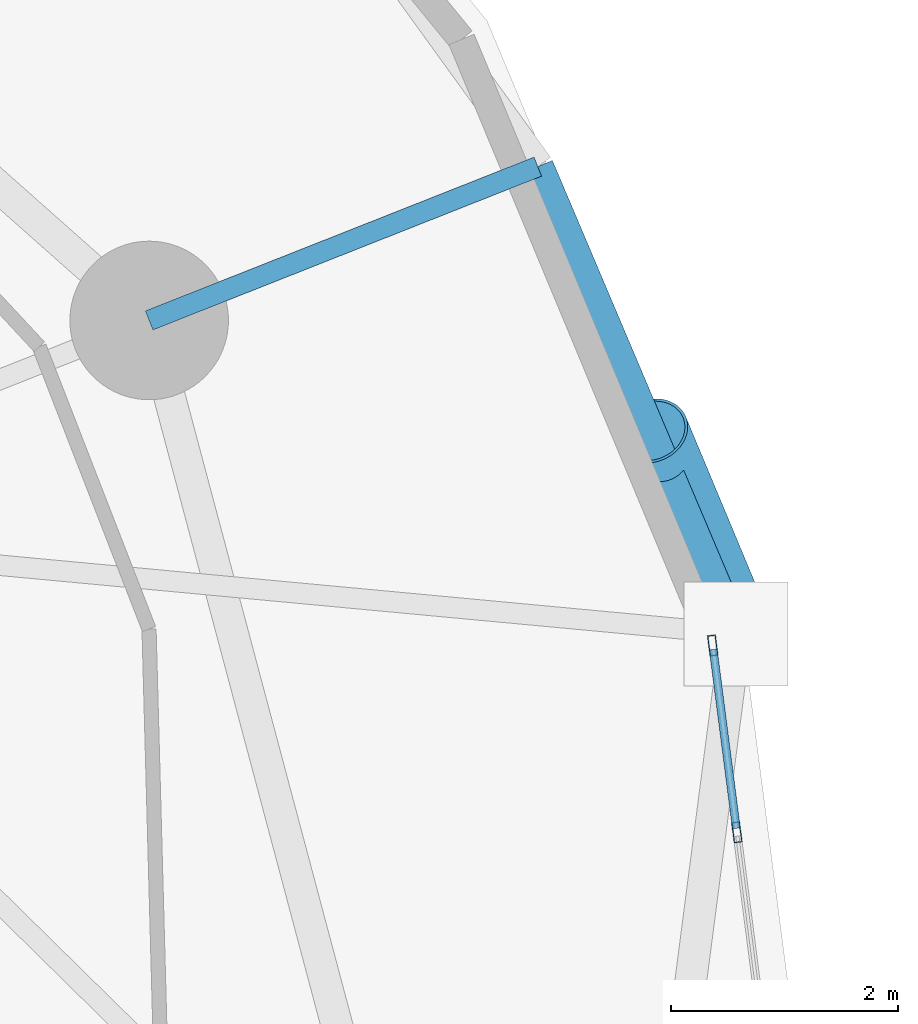
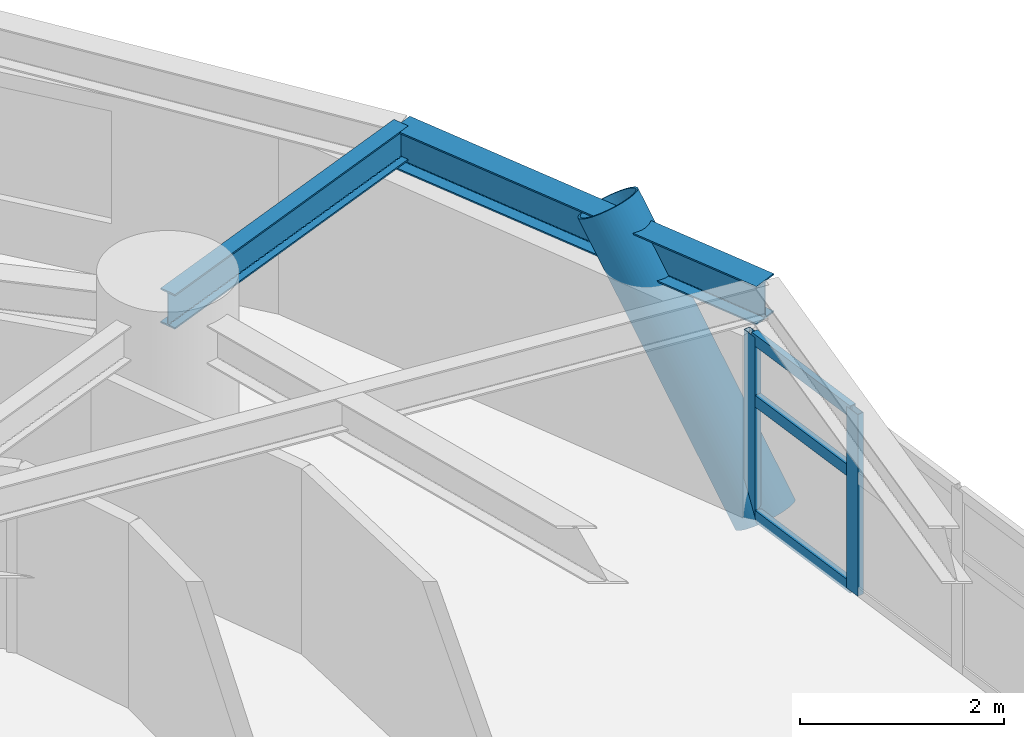
# One storey, part 4 of 18: 6 members, 2 beams, 1 element without a shape of its own.
"""IFC4 building model written with IfcOpenShell, lengths in metres."""

import ifcopenshell
import ifcopenshell.guid

model = None  # the IFC model being written
_history = None  # IfcOwnerHistory: only IFC2X3 demands one
_inside = {}  # id of a spatial element -> (the spatial element, [elements in it])
_under = {}  # id of a project, library or spatial element -> (it, [spatial elements below it])
_declared = {}  # id of a project -> (the project, [libraries it declares])
_typed = {}  # id of a type object -> (the type object, [elements of that type])
_made_of = {}  # id of a material, layer set ... -> (it, [elements and type objects made of it])


def new_model(schema):
    """Start an empty IFC model of exactly this schema.

    Asked for "IFC4X3", IfcOpenShell would pick the latest addendum, in which some entities
    have other attributes; the version numbers below select the first issue.
    IFC2X3 requires an IfcOwnerHistory on every rooted entity: one is made here for all.
    """
    global model, _history
    if schema == "IFC4X3":
        model = ifcopenshell.file(schema_version=(4, 3, 0, 0))
    else:
        model = ifcopenshell.file(schema=schema)
    _inside.clear()
    _under.clear()
    _declared.clear()
    _typed.clear()
    _made_of.clear()
    _history = None
    if model.schema == "IFC2X3":
        org = make("IfcOrganization", Name="unknown")
        user = make(
            "IfcPersonAndOrganization",
            ThePerson=make("IfcPerson", FamilyName="unknown"),
            TheOrganization=org,
        )
        app = make(
            "IfcApplication",
            ApplicationDeveloper=org,
            Version="unknown",
            ApplicationFullName="unknown",
            ApplicationIdentifier="unknown",
        )
        _history = make(
            "IfcOwnerHistory",
            OwningUser=user,
            OwningApplication=app,
            ChangeAction="ADDED",
            CreationDate=0,
        )
    return model


def make(cls, **values):
    """One entity of the class cls with the attributes given. An attribute that is None is left unset."""
    return model.create_entity(
        cls, **{name: value for name, value in values.items() if value is not None}
    )


def rooted(cls, **values):
    """An entity with a GlobalId (a new one), such as an element, a storey or a relation."""
    return make(cls, GlobalId=ifcopenshell.guid.new(), OwnerHistory=_history, **values)


def si_unit(unit_type, name, prefix=None):
    """IfcSIUnit, for example si_unit("LENGTHUNIT", "METRE", prefix="MILLI")."""
    return make("IfcSIUnit", UnitType=unit_type, Prefix=prefix, Name=name)


def assignment(units):
    """IfcUnitAssignment: the units of a project."""
    return None if units is None else make("IfcUnitAssignment", Units=units)


def point(xyz):
    """IfcCartesianPoint."""
    return None if xyz is None else make("IfcCartesianPoint", Coordinates=xyz)


def direction(xyz):
    """IfcDirection."""
    return None if xyz is None else make("IfcDirection", DirectionRatios=xyz)


def frame(location, z_axis=None, x_axis=None):
    """IfcAxis2Placement3D, a coordinate frame: its origin and axes. An axis left out is left unset."""
    return make(
        "IfcAxis2Placement3D",
        Location=point(location),
        Axis=direction(z_axis),
        RefDirection=direction(x_axis),
    )


def frame_2d(location, x_axis=None):
    """IfcAxis2Placement2D, a coordinate frame in the plane: its origin and x axis."""
    return make(
        "IfcAxis2Placement2D", Location=point(location), RefDirection=direction(x_axis)
    )


def origin():
    """The frame at (0, 0, 0) with its axes left unset."""
    return frame((0.0, 0.0, 0.0))


def origin_2d():
    """The frame at (0, 0) in the plane with its x axis left unset."""
    return frame_2d((0.0, 0.0))


def place(relative_to, where):
    """IfcLocalPlacement: puts the frame where relative to a parent placement (None: the world)."""
    return make(
        "IfcLocalPlacement", PlacementRelTo=relative_to, RelativePlacement=where
    )


def context(
    kind, dimensions, precision=None, world=None, true_north=None, identifier=None
):
    """IfcGeometricRepresentationContext, for example the 3D "Model" context."""
    return make(
        "IfcGeometricRepresentationContext",
        ContextIdentifier=identifier,
        ContextType=kind,
        CoordinateSpaceDimension=dimensions,
        Precision=precision,
        WorldCoordinateSystem=world,
        TrueNorth=true_north,
    )


def subcontext(parent, identifier, kind, view, scale=None):
    """IfcGeometricRepresentationSubContext, for example "Body" below "Model"."""
    return make(
        "IfcGeometricRepresentationSubContext",
        ContextIdentifier=identifier,
        ContextType=kind,
        ParentContext=parent,
        TargetScale=scale,
        TargetView=view,
    )


def project(units=None, contexts=None):
    """IfcProject with its units and contexts."""
    return rooted(
        "IfcProject",
        Name="project",
        RepresentationContexts=contexts,
        UnitsInContext=assignment(units),
    )


def spatial(cls, under=None, at=None, **own):
    """A site, building, storey or space (cls), placed at a placement, below another one or the project."""
    s = rooted(cls, ObjectPlacement=at, **own)
    if under is not None:
        _under.setdefault(under.id(), (under, []))[1].append(s)
    return s


def profile(cls, at=None, kind="AREA", **sizes):
    """A parametric profile (cls). Its sizes go by their IFC names, for example OverallWidth=200.0."""
    return make(cls, ProfileType=kind, Position=at, **sizes)


def hollow_rectangle(**sizes):
    """IfcRectangleHollowProfileDef."""
    return profile("IfcRectangleHollowProfileDef", **sizes)


def hollow_circle(**sizes):
    """IfcCircleHollowProfileDef."""
    return profile("IfcCircleHollowProfileDef", **sizes)


def i_section(**sizes):
    """IfcIShapeProfileDef."""
    return profile("IfcIShapeProfileDef", **sizes)


def extrude(swept, where, along, depth):
    """IfcExtrudedAreaSolid: the profile swept, set in the frame where, extruded along a direction by depth."""
    return make(
        "IfcExtrudedAreaSolid",
        SweptArea=swept,
        Position=where,
        ExtrudedDirection=direction(along),
        Depth=depth,
    )


def shape(context_of_items, identifier, shape_type, items):
    """IfcShapeRepresentation: the items that make up one representation, for example the "Body"."""
    return make(
        "IfcShapeRepresentation",
        ContextOfItems=context_of_items,
        RepresentationIdentifier=identifier,
        RepresentationType=shape_type,
        Items=items,
    )


def material(Name=None, Category=None):
    """IfcMaterial."""
    return make("IfcMaterial", Name=Name, Category=Category)


def layer(
    of_material, thickness, ventilated=None, Name=None, Category=None, Priority=None
):
    """IfcMaterialLayer: one layer of a wall or slab, of a material (None: an air gap)."""
    return make(
        "IfcMaterialLayer",
        Material=of_material,
        LayerThickness=thickness,
        IsVentilated=ventilated,
        Name=Name,
        Category=Category,
        Priority=Priority,
    )


def layer_set(layers, Name=None):
    """IfcMaterialLayerSet."""
    return make("IfcMaterialLayerSet", MaterialLayers=layers, LayerSetName=Name)


def material_profile(
    of_material, cross_section, Name=None, Category=None, Priority=None
):
    """IfcMaterialProfile: a cross section and its material."""
    return make(
        "IfcMaterialProfile",
        Name=Name,
        Material=of_material,
        Profile=cross_section,
        Priority=Priority,
        Category=Category,
    )


def profile_set(profiles, Name=None, composite=None):
    """IfcMaterialProfileSet."""
    return make(
        "IfcMaterialProfileSet",
        Name=Name,
        MaterialProfiles=profiles,
        CompositeProfile=composite,
    )


def made_of(thing, what):
    """Note that an element or type object is made of a material, layer set ...; save() writes the relation."""
    if what is not None:
        _made_of.setdefault(what.id(), (what, []))[1].append(thing)
    return thing


def type_object(cls, material=None, **own):
    """A type object (cls), such as IfcWallType, which elements share."""
    return made_of(rooted(cls, **own), material)


def element(
    cls,
    number,
    at=None,
    inside=None,
    cuts=None,
    type_object=None,
    material=None,
    context=None,
    identifier="Body",
    shape_type=None,
    held_by="IfcProductDefinitionShape",
    body=None,
    shapes=None,
    **own,
):
    """One element of the class cls, such as IfcWall. Its Tag is "e" and its number.

    at: its placement. inside: the storey or other place that contains it. cuts: it is an
    opening in that element (IfcRelVoidsElement). A single representation is given by context,
    identifier, shape_type and body (its items); several are given by shapes. held_by: the class
    of the entity that holds the representations. save() writes the other relations.
    """
    e = rooted(cls, Tag="e%d" % number, ObjectPlacement=at, **own)
    if body is not None:
        shapes = [shape(context, identifier, shape_type, body)]
    if shapes is not None:
        e.Representation = make(held_by, Representations=shapes)
    if inside is not None:
        _inside.setdefault(inside.id(), (inside, []))[1].append(e)
    if cuts is not None:
        rooted(
            "IfcRelVoidsElement", RelatingBuildingElement=cuts, RelatedOpeningElement=e
        )
    if type_object is not None:
        _typed.setdefault(type_object.id(), (type_object, []))[1].append(e)
    return made_of(e, material)


def aggregate(whole, parts):
    """IfcRelAggregates: a whole, such as a stair, and the parts it consists of."""
    return rooted("IfcRelAggregates", RelatingObject=whole, RelatedObjects=parts)


def save(model, path):
    """Write the relations noted so far, then the file.

    IfcRelAggregates (storeys below a building ...), IfcRelContainedInSpatialStructure (elements
    in a storey), IfcRelDefinesByType, IfcRelAssociatesMaterial and IfcRelDeclares: one each for
    every whole, place, type object, material and project.
    """
    for whole, parts in _under.values():
        aggregate(whole, parts)
    for where, things in _inside.values():
        rooted(
            "IfcRelContainedInSpatialStructure",
            RelatedElements=things,
            RelatingStructure=where,
        )
    for kind, things in _typed.values():
        rooted("IfcRelDefinesByType", RelatedObjects=things, RelatingType=kind)
    for what, things in _made_of.values():
        rooted("IfcRelAssociatesMaterial", RelatedObjects=things, RelatingMaterial=what)
    for by, libraries in _declared.values():
        rooted("IfcRelDeclares", RelatingContext=by, RelatedDefinitions=libraries)
    model.write(path)


model = new_model("IFC4")

# Units and contexts
model_context = context("Model", 3, precision=1e-05, world=origin(), true_north=direction((0.0, 1.0)))
body_context = subcontext(model_context, "Body", "Model", "MODEL_VIEW")
ifc_project = project(units=[si_unit("LENGTHUNIT", "METRE"), si_unit("AREAUNIT", "SQUARE_METRE"), si_unit("VOLUMEUNIT", "CUBIC_METRE"), si_unit("PLANEANGLEUNIT", "RADIAN"), si_unit("MASSUNIT", "GRAM", prefix="KILO")], contexts=[model_context])

# Site, building, storey
site_placement = place(None, origin())
site = spatial("IfcSite", under=ifc_project, at=site_placement, CompositionType="ELEMENT")
building_placement = place(site_placement, origin())
building = spatial("IfcBuilding", under=site, at=building_placement, Name="Cununo Teusaquillo Station Towers", CompositionType="ELEMENT")
storey_placement = place(building_placement, frame((0.0, 0.0, 93.429931640625)))
storey = spatial("IfcBuildingStorey", under=building, at=storey_placement, Name="L29", CompositionType="ELEMENT", Elevation=93.429931640625)

# Beams
ifc_material_1 = material(Name="Steel ASTM A572 Grade 50", Category="steel")
ifc_material_profile_1 = material_profile(ifc_material_1, i_section(OverallWidth=0.180908203125, OverallDepth=0.4169921875, WebThickness=0.010986328125, FlangeThickness=0.018310546875, FilletRadius=0.012939453125, at=origin_2d()), Name="W16X57")
ifc_profile_set_1 = profile_set([ifc_material_profile_1], Name="Steel ASTM A572 Grade 50")
beam_type_1 = type_object("IfcBeamType", Name="BM-RAD-G2", PredefinedType="BEAM", material=ifc_profile_set_1)
beam_1_placement = place(storey_placement, frame((26.347412109375, 33.228515625, 2.461669921875), z_axis=(0.929861788731, 0.367909029323, 0.0), x_axis=(-0.367909029323, 0.929861788731, 0.0)))
element("IfcBeam", 1, at=beam_1_placement, inside=storey, type_object=beam_type_1, Name="L29 Tower A Perimeter Overhang Girder 02B", PredefinedType="BEAM", context=body_context, shape_type="SweptSolid", body=[
    extrude(i_section(OverallWidth=0.180908203125, OverallDepth=0.4169921875, WebThickness=0.010986328125, FlangeThickness=0.018310546875, FilletRadius=0.012939453125, at=origin_2d()), origin(), (0.0, 0.0, 1.0), 3.690185546875),
])
ifc_material_2 = material(Name="Steel ASTM A572 Grade 50", Category="steel")
ifc_material_profile_2 = material_profile(ifc_material_2, i_section(OverallWidth=0.280029296875, OverallDepth=0.462890625, WebThickness=0.0107421875, FlangeThickness=0.017333984375, FilletRadius=0.013916015625, at=origin_2d()), Name="W18X76")
ifc_profile_set_2 = profile_set([ifc_material_profile_2], Name="Steel ASTM A572 Grade 50")
beam_type_2 = type_object("IfcBeamType", Name="BM-RING-Z2", PredefinedType="SPANDREL", material=ifc_profile_set_2)
beam_2_placement = place(storey_placement, frame((31.527587890625, 30.4609375, 2.4384765625), z_axis=(-0.390299356049, 0.920688010494, 0.0), x_axis=(-0.920688010494, -0.390299356049, 0.0)))
element("IfcBeam", 2, at=beam_2_placement, inside=storey, type_object=beam_type_2, Name="L29 Tower A Spandrel Ring Beam 02", PredefinedType="SPANDREL", context=body_context, shape_type="SweptSolid", body=[
    extrude(i_section(OverallWidth=0.280029296875, OverallDepth=0.462890625, WebThickness=0.0107421875, FlangeThickness=0.017333984375, FilletRadius=0.013916015625, at=origin_2d()), origin(), (0.0, 0.0, 1.0), 4.480712890625),
])

# Curtain wall, members
ifc_material_3 = material(Name="Ceramic-fritted dark low-E double glazing", Category="glass")
ifc_layer = layer(ifc_material_3, 0.179931640625)
ifc_layer_set = layer_set([ifc_layer], Name="Ceramic-fritted dark low-E double glazing")
curtain_wall_type = type_object("IfcCurtainWallType", Name="CW-SYS-04", PredefinedType="USERDEFINED", material=ifc_layer_set)
curtain_wall_placement = place(storey_placement, origin())
curtain_wall = element("IfcCurtainWall", 3, at=curtain_wall_placement, inside=storey, type_object=curtain_wall_type, Name="L29 Tower A Facade Curtain Wall C00", ObjectType="FRITTED GLAZING", PredefinedType="USERDEFINED")
ifc_material_4 = material(Name="Anodised dark bronze aluminium EN AW-6063-T6", Category="aluminium")
ifc_material_profile_3 = material_profile(ifc_material_4, hollow_rectangle(XDim=0.070068359375, YDim=0.179931640625, WallThickness=0.00390625, at=origin_2d()), Name="CW-MULL-70x180")
ifc_profile_set_3 = profile_set([ifc_material_profile_3], Name="Anodised dark bronze aluminium EN AW-6063-T6")
member_type_1 = type_object("IfcMemberType", Name="CWM-180", PredefinedType="MULLION", material=ifc_profile_set_3)
member_1_placement = place(storey_placement, frame((31.322998046875, 30.3583984375, 0.0), z_axis=(0.0, 0.0, 1.0), x_axis=(0.991730764367, 0.128335852387, 0.0)))
member_1 = element("IfcMember", 4, at=member_1_placement, type_object=member_type_1, Name="CW-04 mullion 1", PredefinedType="MULLION", context=body_context, shape_type="SweptSolid", body=[
    extrude(hollow_rectangle(XDim=0.070068359375, YDim=0.179931640625, WallThickness=0.00390625, at=origin_2d()), origin(), (0.0, 0.0, 1.0), 2.178955078125),
])
member_2_placement = place(storey_placement, frame((31.5361328125, 28.709716796875, 0.0), z_axis=(0.0, 0.0, 1.0), x_axis=(0.991730764367, 0.128335852387, 0.0)))
member_2 = element("IfcMember", 5, at=member_2_placement, type_object=member_type_1, Name="CW-04 mullion 2", PredefinedType="MULLION", context=body_context, shape_type="SweptSolid", body=[
    extrude(hollow_rectangle(XDim=0.070068359375, YDim=0.179931640625, WallThickness=0.00390625, at=origin_2d()), origin(), (0.0, 0.0, 1.0), 2.178955078125),
])
ifc_material_5 = material(Name="Anodised dark bronze aluminium EN AW-6063-T6", Category="aluminium")
ifc_material_profile_4 = material_profile(ifc_material_5, hollow_rectangle(XDim=0.070068359375, YDim=0.139892578125, WallThickness=0.00390625, at=origin_2d()), Name="CW-TRAN-70x140")
ifc_profile_set_4 = profile_set([ifc_material_profile_4], Name="Anodised dark bronze aluminium EN AW-6063-T6")
member_type_2 = type_object("IfcMemberType", Name="CWT-140", PredefinedType="USERDEFINED", material=ifc_profile_set_4)
member_3_placement = place(storey_placement, frame((31.327392578125, 30.323486328125, 0.03515625), z_axis=(0.128336210724, -0.991730717996, 0.0), x_axis=(0.991730717996, 0.128336210724, 0.0)))
member_3 = element("IfcMember", 6, at=member_3_placement, type_object=member_type_2, Name="CW-04 transom 1.1", ObjectType="TRANSOM", PredefinedType="USERDEFINED", context=body_context, shape_type="SweptSolid", body=[
    extrude(hollow_rectangle(XDim=0.070068359375, YDim=0.139892578125, WallThickness=0.00390625, at=origin_2d()), origin(), (0.0, 0.0, 1.0), 1.59228515625),
])
member_4_placement = place(storey_placement, frame((31.327392578125, 30.323486328125, 1.416015625), z_axis=(0.128336210724, -0.991730717996, 0.0), x_axis=(0.991730717996, 0.128336210724, 0.0)))
member_4 = element("IfcMember", 7, at=member_4_placement, type_object=member_type_2, Name="CW-04 transom 1.2", ObjectType="TRANSOM", PredefinedType="USERDEFINED", context=body_context, shape_type="SweptSolid", body=[
    extrude(hollow_rectangle(XDim=0.070068359375, YDim=0.139892578125, WallThickness=0.00390625, at=origin_2d()), origin(), (0.0, 0.0, 1.0), 1.59228515625),
])
member_5_placement = place(storey_placement, frame((31.327392578125, 30.323486328125, 2.14404296875), z_axis=(0.128336210724, -0.991730717996, 0.0), x_axis=(0.991730717996, 0.128336210724, 0.0)))
member_5 = element("IfcMember", 8, at=member_5_placement, type_object=member_type_2, Name="CW-04 transom 1.3", ObjectType="TRANSOM", PredefinedType="USERDEFINED", context=body_context, shape_type="SweptSolid", body=[
    extrude(hollow_rectangle(XDim=0.070068359375, YDim=0.139892578125, WallThickness=0.00390625, at=origin_2d()), origin(), (0.0, 0.0, 1.0), 1.59228515625),
])
aggregate(curtain_wall, [member_1, member_2, member_3, member_4, member_5])

# Member
ifc_material_6 = material(Name="Steel EN 10025-2 S355J2", Category="steel")
ifc_material_profile_5 = material_profile(ifc_material_6, hollow_circle(Radius=0.330078125, WallThickness=0.02490234375, at=origin_2d()), Name="CHS 660x25")
ifc_profile_set_5 = profile_set([ifc_material_profile_5], Name="Steel EN 10025-2 S355J2")
member_type_3 = type_object("IfcMemberType", Name="MBR-DIAG-Z2", PredefinedType="BRACE", material=ifc_profile_set_5)
member_6_placement = place(storey_placement, frame((31.527587890625, 30.4609375, -0.139892578125), z_axis=(-0.213813667787, 0.512343325357, 0.831737958993), x_axis=(-0.922861086318, -0.385132983993, 0.0)))
element("IfcMember", 9, at=member_6_placement, inside=storey, type_object=member_type_3, Name="L29 Tower A Folded-Zigzag Diagrid Tube C01", PredefinedType="BRACE", context=body_context, shape_type="SweptSolid", body=[
    extrude(hollow_circle(Radius=0.330078125, WallThickness=0.02490234375, at=origin_2d()), origin(), (0.0, 0.0, 1.0), 3.49853515625),
])

save(model, "model.ifc")
